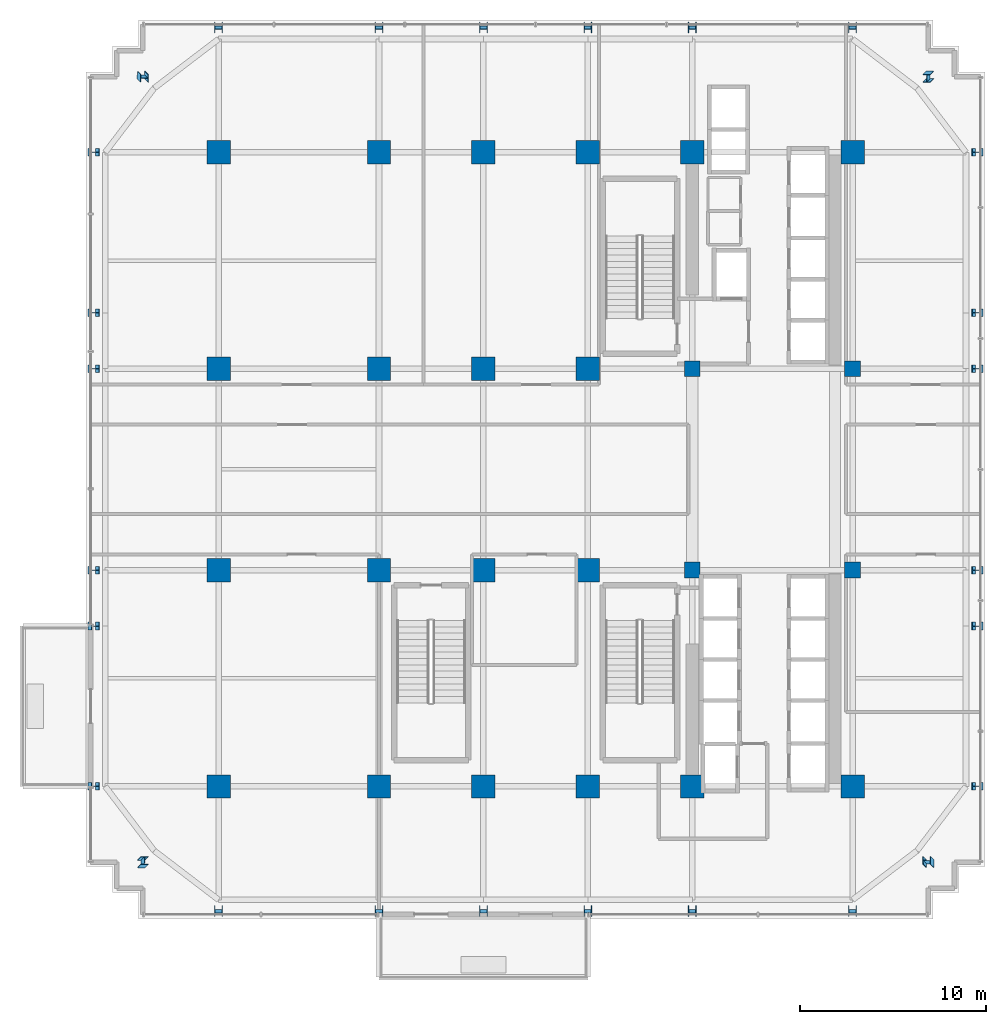
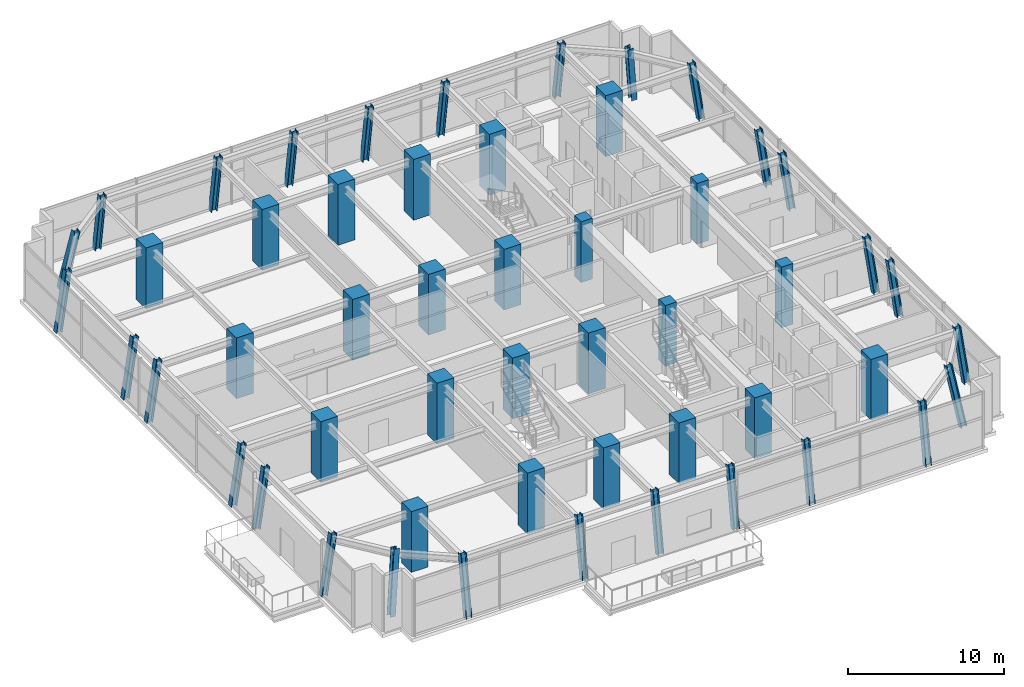
# One storey, part 1 of 26: 52 columns.
"""IFC4 building model written with IfcOpenShell, lengths in metres."""

from ifc_helpers import new_model, si_unit, direction, frame, origin, origin_2d, place, context, subcontext, project, spatial, rectangle, i_section, extrude, source, transform, mapped, material, material_profile, profile_set, type_object, element, save


model = new_model("IFC4")

# Units and contexts
model_context = context("Model", 3, precision=1e-05, world=origin(), true_north=direction((0.0, 1.0)))
body_context = subcontext(model_context, "Body", "Model", "MODEL_VIEW")
ifc_project = project(units=[si_unit("LENGTHUNIT", "METRE"), si_unit("AREAUNIT", "SQUARE_METRE"), si_unit("VOLUMEUNIT", "CUBIC_METRE"), si_unit("PLANEANGLEUNIT", "RADIAN"), si_unit("MASSUNIT", "GRAM", prefix="KILO")], contexts=[model_context])

# Site, building, storey
site_placement = place(None, origin())
site = spatial("IfcSite", under=ifc_project, at=site_placement, CompositionType="ELEMENT")
building_placement = place(site_placement, origin())
building = spatial("IfcBuilding", under=site, at=building_placement, Name="Nahalor Promenade Grand Hotel", CompositionType="ELEMENT")
storey_placement = place(building_placement, frame((0.0, 0.0, 139.39990234375)))
storey = spatial("IfcBuildingStorey", under=building, at=storey_placement, Name="L35", CompositionType="ELEMENT", Elevation=139.39990234375)

# Columns
ifc_material_1 = material(Name="Concrete B-60 (C50/60)", Category="concrete")
ifc_material_profile_1 = material_profile(ifc_material_1, rectangle(XDim=1.25, YDim=1.25, at=origin_2d()), Name="RC 1250x1250")
ifc_profile_set_1 = profile_set([ifc_material_profile_1], Name="Concrete B-60 (C50/60)")
column_type_1 = type_object("IfcColumnType", Name="Col-RC-1250", PredefinedType="COLUMN", material=ifc_profile_set_1)
shared_shape_1 = source(origin(), body_context, "Body", "SweptSolid", [
    extrude(rectangle(XDim=1.25, YDim=1.25, at=origin_2d()), origin(), (0.0, 0.0, 1.0), 4.755126953125),
])
for number, where, z_axis, x_axis, name in (
    (1, (-17.0, -17.0, 0.0), (0.0, 0.0, 1.0), (1.0, 0.0, 0.0), "COL-L35-I00"),
    (2, (-17.0, -5.39990234375, 0.0), (0.0, 0.0, 1.0), (1.0, 0.0, 0.0), "COL-L35-I01"),
    (3, (-17.0, 5.39990234375, 0.0), (0.0, 0.0, 1.0), (1.0, 0.0, 0.0), "COL-L35-I02"),
    (4, (-17.0, 17.0, 0.0), (0.0, 0.0, 1.0), (1.0, 0.0, 0.0), "COL-L35-I03"),
    (5, (-8.39990234375, -17.0, 0.0), (0.0, 0.0, 1.0), (1.0, 0.0, 0.0), "COL-L35-I10"),
    (6, (-8.39990234375, -5.39990234375, 0.0), (0.0, 0.0, 1.0), (1.0, 0.0, 0.0), "COL-L35-I11"),
    (7, (-8.39990234375, 5.39990234375, 0.0), (0.0, 0.0, 1.0), (1.0, 0.0, 0.0), "COL-L35-I12"),
    (8, (-8.39990234375, 17.0, 0.0), (0.0, 0.0, 1.0), (1.0, 0.0, 0.0), "COL-L35-I13"),
    (9, (-2.800048828125, -17.0, 0.0), (0.0, 0.0, 1.0), (1.0, 0.0, 0.0), "COL-L35-I20"),
    (10, (-2.800048828125, -5.39990234375, 0.0), (0.0, 0.0, 1.0), (1.0, 0.0, 0.0), "COL-L35-I21"),
    (11, (-2.800048828125, 5.39990234375, 0.0), (0.0, 0.0, 1.0), (1.0, 0.0, 0.0), "COL-L35-I22"),
    (12, (-2.800048828125, 17.0, 0.0), (0.0, 0.0, 1.0), (1.0, 0.0, 0.0), "COL-L35-I23"),
    (13, (2.800048828125, -17.0, 0.0), (0.0, 0.0, 1.0), (1.0, 0.0, 0.0), "COL-L35-I30"),
    (14, (2.800048828125, -5.39990234375, 0.0), (0.0, 0.0, 1.0), (1.0, 0.0, 0.0), "COL-L35-I31"),
    (15, (2.800048828125, 5.39990234375, 0.0), (0.0, 0.0, 1.0), (1.0, 0.0, 0.0), "COL-L35-I32"),
    (16, (2.800048828125, 17.0, 0.0), (0.0, 0.0, 1.0), (1.0, 0.0, 0.0), "COL-L35-I33"),
    (17, (8.39990234375, -17.0, 0.0), (0.0, 0.0, 1.0), (1.0, 0.0, 0.0), "COL-L35-I40"),
    (18, (8.39990234375, 17.0, 0.0), (0.0, 0.0, 1.0), (1.0, 0.0, 0.0), "COL-L35-I43"),
    (19, (17.0, -17.0, 0.0), (0.0, 0.0, 1.0), (1.0, 0.0, 0.0), "COL-L35-I50"),
    (20, (17.0, 17.0, 0.0), (0.0, 0.0, 1.0), (1.0, 0.0, 0.0), "COL-L35-I53"),
):
    element("IfcColumn", number, at=place(storey_placement, frame(where, z_axis=z_axis, x_axis=x_axis)), inside=storey, type_object=column_type_1, Name=name, PredefinedType="COLUMN", context=body_context, shape_type="MappedRepresentation", body=[
        mapped(shared_shape_1, transform((0.0, 0.0, 0.0), scale=1.0)),
    ])
ifc_material_2 = material(Name="Concrete B-70 (C60/75)", Category="concrete")
ifc_material_profile_2 = material_profile(ifc_material_2, rectangle(XDim=0.85, YDim=0.85, at=origin_2d()), Name="RC 850x850")
ifc_profile_set_2 = profile_set([ifc_material_profile_2], Name="Concrete B-70 (C60/75)")
column_type_2 = type_object("IfcColumnType", Name="Col-Pilaster-850", PredefinedType="PILASTER", material=ifc_profile_set_2)
shared_shape_2 = source(origin(), body_context, "Body", "SweptSolid", [
    extrude(rectangle(XDim=0.85, YDim=0.85, at=origin_2d()), origin(), (0.0, 0.0, 1.0), 4.755126953125),
])
for number, where, z_axis, x_axis, name in (
    (21, (8.39990234375, -5.39990234375, 0.0), (0.0, 0.0, 1.0), (1.0, 0.0, 0.0), "COL-L35-I41"),
    (22, (8.39990234375, 5.39990234375, 0.0), (0.0, 0.0, 1.0), (1.0, 0.0, 0.0), "COL-L35-I42"),
    (23, (17.0, -5.39990234375, 0.0), (0.0, 0.0, 1.0), (1.0, 0.0, 0.0), "COL-L35-I51"),
    (24, (17.0, 5.39990234375, 0.0), (0.0, 0.0, 1.0), (1.0, 0.0, 0.0), "COL-L35-I52"),
):
    element("IfcColumn", number, at=place(storey_placement, frame(where, z_axis=z_axis, x_axis=x_axis)), inside=storey, type_object=column_type_2, Name=name, PredefinedType="PILASTER", context=body_context, shape_type="MappedRepresentation", body=[
        mapped(shared_shape_2, transform((0.0, 0.0, 0.0), scale=1.0)),
    ])
ifc_material_3 = material(Name="Steel S355J2", Category="steel")
ifc_material_profile_3 = material_profile(ifc_material_3, i_section(OverallWidth=0.409, OverallDepth=0.43, WebThickness=0.0208, FlangeThickness=0.0335, at=origin_2d()), Name="HD 400x421")
ifc_profile_set_3 = profile_set([ifc_material_profile_3], Name="Steel S355J2")
column_type_3 = type_object("IfcColumnType", Name="Col-Steel-HD421", PredefinedType="COLUMN", material=ifc_profile_set_3)
shared_shape_3 = source(origin(), body_context, "Body", "SweptSolid", [
    extrude(i_section(OverallWidth=0.409, OverallDepth=0.43, WebThickness=0.0208, FlangeThickness=0.0335, at=origin_2d()), origin(), (0.0, 0.0, 1.0), 4.707275390625),
])
for number, where, z_axis, x_axis, name in (
    (25, (-23.780029296875, -17.0, 0.0), (0.148692963872, 0.0, 0.988883411983), (0.0, 1.0, 0.0), "COL-L35-PW-W0"),
    (26, (23.780029296875, -17.0, 0.0), (-0.148692963872, 0.0, 0.988883411983), (0.0, -1.0, 0.0), "COL-L35-PW-E0"),
    (27, (-23.780029296875, -8.39990234375, 0.0), (0.148692963872, 0.0, 0.988883411983), (0.0, 1.0, 0.0), "COL-L35-PW-W1"),
    (28, (23.780029296875, -8.39990234375, 0.0), (-0.148692963872, 0.0, 0.988883411983), (0.0, -1.0, 0.0), "COL-L35-PW-E1"),
    (29, (-23.780029296875, -5.39990234375, 0.0), (0.148692963872, 0.0, 0.988883411983), (0.0, 1.0, 0.0), "COL-L35-PW-W2"),
    (30, (23.780029296875, -5.39990234375, 0.0), (-0.148692963872, 0.0, 0.988883411983), (0.0, -1.0, 0.0), "COL-L35-PW-E2"),
    (31, (-23.780029296875, 5.39990234375, 0.0), (0.148692963872, 0.0, 0.988883411983), (0.0, 1.0, 0.0), "COL-L35-PW-W3"),
    (32, (23.780029296875, 5.39990234375, 0.0), (-0.148692963872, 0.0, 0.988883411983), (0.0, -1.0, 0.0), "COL-L35-PW-E3"),
    (33, (-23.780029296875, 8.39990234375, 0.0), (0.148692963872, 0.0, 0.988883411983), (0.0, 1.0, 0.0), "COL-L35-PW-W4"),
    (34, (23.780029296875, 8.39990234375, 0.0), (-0.148692963872, 0.0, 0.988883411983), (0.0, -1.0, 0.0), "COL-L35-PW-E4"),
    (35, (-23.780029296875, 17.0, 0.0), (0.148692963872, 0.0, 0.988883411983), (0.0, 1.0, 0.0), "COL-L35-PW-W5"),
    (36, (23.780029296875, 17.0, 0.0), (-0.148692963872, 0.0, 0.988883411983), (0.0, -1.0, 0.0), "COL-L35-PW-E5"),
    (37, (-17.0, -23.780029296875, 0.0), (0.0, 0.148692963872, 0.988883411983), (0.0, -0.988883411983, 0.148692963872), "COL-L35-PN-S0"),
    (38, (-17.0, 23.780029296875, 0.0), (0.0, -0.148692963872, 0.988883411983), (0.0, 0.988883411983, 0.148692963872), "COL-L35-PN-N0"),
    (39, (-8.39990234375, -23.780029296875, 0.0), (0.0, 0.148692963872, 0.988883411983), (0.0, -0.988883411983, 0.148692963872), "COL-L35-PN-S1"),
    (40, (-8.39990234375, 23.780029296875, 0.0), (0.0, -0.148692963872, 0.988883411983), (0.0, 0.988883411983, 0.148692963872), "COL-L35-PN-N1"),
    (41, (-2.800048828125, -23.780029296875, 0.0), (0.0, 0.148692963872, 0.988883411983), (0.0, -0.988883411983, 0.148692963872), "COL-L35-PN-S2"),
    (42, (-2.800048828125, 23.780029296875, 0.0), (0.0, -0.148692963872, 0.988883411983), (0.0, 0.988883411983, 0.148692963872), "COL-L35-PN-N2"),
    (43, (2.800048828125, -23.780029296875, 0.0), (0.0, 0.148692963872, 0.988883411983), (0.0, -0.988883411983, 0.148692963872), "COL-L35-PN-S3"),
    (44, (2.800048828125, 23.780029296875, 0.0), (0.0, -0.148692963872, 0.988883411983), (0.0, 0.988883411983, 0.148692963872), "COL-L35-PN-N3"),
    (45, (8.39990234375, -23.780029296875, 0.0), (0.0, 0.148692963872, 0.988883411983), (0.0, -0.988883411983, 0.148692963872), "COL-L35-PN-S4"),
    (46, (8.39990234375, 23.780029296875, 0.0), (0.0, -0.148692963872, 0.988883411983), (0.0, 0.988883411983, 0.148692963872), "COL-L35-PN-N4"),
    (47, (17.0, -23.780029296875, 0.0), (0.0, 0.148692963872, 0.988883411983), (0.0, -0.988883411983, 0.148692963872), "COL-L35-PN-S5"),
    (48, (17.0, 23.780029296875, 0.0), (0.0, -0.148692963872, 0.988883411983), (0.0, 0.988883411983, 0.148692963872), "COL-L35-PN-N5"),
):
    element("IfcColumn", number, at=place(storey_placement, frame(where, z_axis=z_axis, x_axis=x_axis)), inside=storey, type_object=column_type_3, Name=name, PredefinedType="COLUMN", context=body_context, shape_type="MappedRepresentation", body=[
        mapped(shared_shape_3, transform((0.0, 0.0, 0.0), scale=1.0)),
    ])
shared_shape_4 = source(origin(), body_context, "Body", "SweptSolid", [
    extrude(i_section(OverallWidth=0.409, OverallDepth=0.43, WebThickness=0.0208, FlangeThickness=0.0335, at=origin_2d()), origin(), (0.0, 0.0, 1.0), 4.759033203125),
])
for number, where, z_axis, x_axis, name in (
    (49, (-21.14990234375, -21.14990234375, 0.0), (0.147075957733, 0.147075957733, 0.978129503345), (-0.989064751673, 0.010935248327, 0.147075957733), "COL-L35-CRN-SW"),
    (50, (-21.14990234375, 21.14990234375, 0.0), (0.147075957733, -0.147075957733, 0.978129503345), (0.010935248327, 0.989064751673, 0.147075957733), "COL-L35-CRN-NW"),
    (51, (21.14990234375, -21.14990234375, 0.0), (-0.147075957733, 0.147075957733, 0.978129503345), (-0.010935248327, -0.989064751673, 0.147075957733), "COL-L35-CRN-SE"),
    (52, (21.14990234375, 21.14990234375, 0.0), (-0.147075957733, -0.147075957733, 0.978129503345), (0.989064751673, -0.010935248327, 0.147075957733), "COL-L35-CRN-NE"),
):
    element("IfcColumn", number, at=place(storey_placement, frame(where, z_axis=z_axis, x_axis=x_axis)), inside=storey, type_object=column_type_3, Name=name, PredefinedType="COLUMN", context=body_context, shape_type="MappedRepresentation", body=[
        mapped(shared_shape_4, transform((0.0, 0.0, 0.0), scale=1.0)),
    ])

save(model, "model.ifc")
